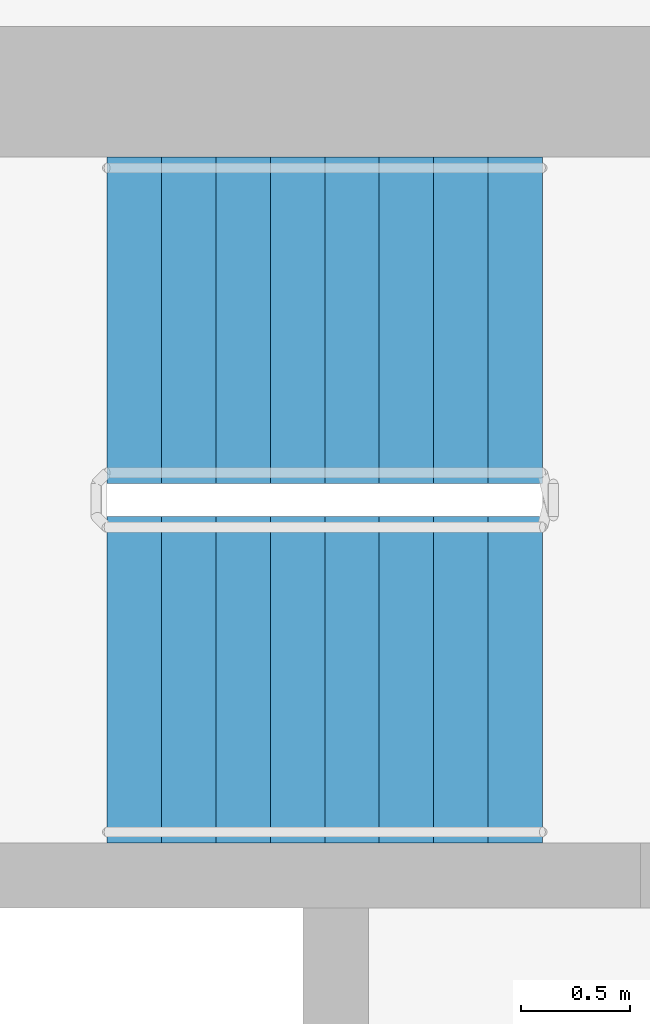
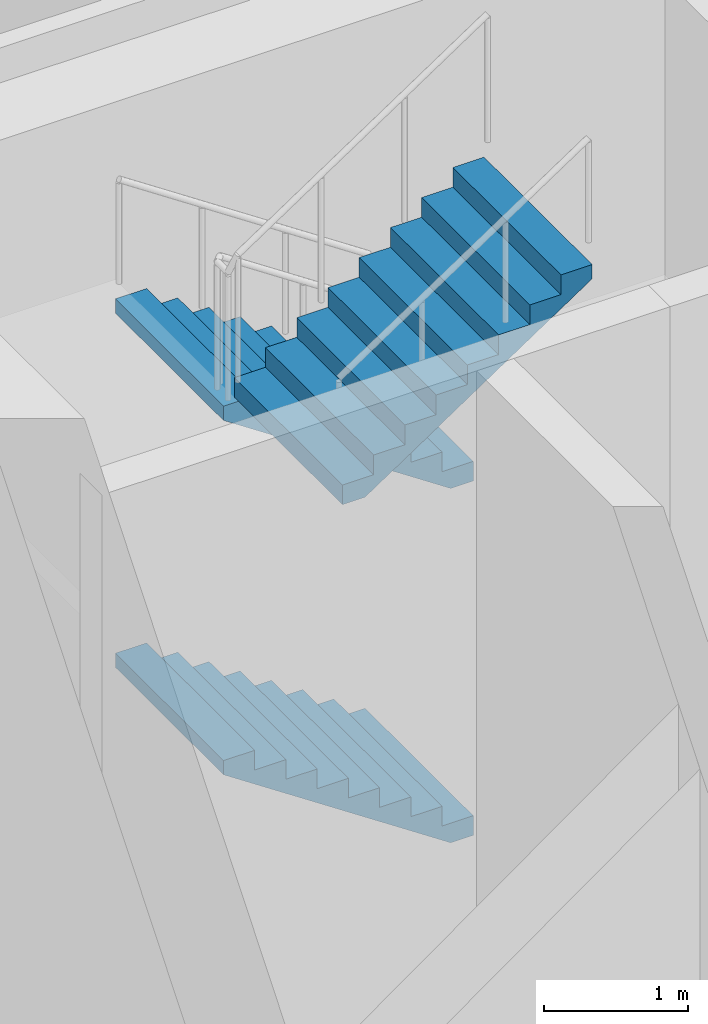
# One storey, part 8 of 10: 3 stair flights, 1 element without a shape of its own.
"""IFC4 building model written with IfcOpenShell, lengths in metres."""

from ifc_helpers import new_model, si_unit, direction, frame, origin, place, context, subcontext, project, spatial, polyline, outline, extrude, material, type_object, element, aggregate, save


model = new_model("IFC4")

# Units and contexts
model_context = context("Model", 3, precision=1e-05, world=origin(), true_north=direction((0.0, 1.0)))
body_context = subcontext(model_context, "Body", "Model", "MODEL_VIEW")
ifc_project = project(units=[si_unit("LENGTHUNIT", "METRE"), si_unit("AREAUNIT", "SQUARE_METRE"), si_unit("VOLUMEUNIT", "CUBIC_METRE"), si_unit("PLANEANGLEUNIT", "RADIAN"), si_unit("MASSUNIT", "GRAM", prefix="KILO")], contexts=[model_context])

# Site, building, storey
site_placement = place(None, origin())
site = spatial("IfcSite", under=ifc_project, at=site_placement, CompositionType="ELEMENT")
building_placement = place(site_placement, origin())
building = spatial("IfcBuilding", under=site, at=building_placement, Name="Tracery Tower", CompositionType="ELEMENT")
storey_placement = place(building_placement, frame((0.0, 0.0, 352.199951171875)))
storey = spatial("IfcBuildingStorey", under=building, at=storey_placement, Name="L90", CompositionType="ELEMENT", Elevation=352.199951171875)

# Stair, stair flights
ifc_material_1 = material(Name="Concrete C32/40", Category="concrete")
stair_type = type_object("IfcStairType", Name="Core stair 36 risers", PredefinedType="HALF_TURN_STAIR", material=ifc_material_1)
stair_placement = place(storey_placement, origin())
stair = element("IfcStair", 1, at=stair_placement, inside=storey, type_object=stair_type, Name="L90 stair ST3", PredefinedType="HALF_TURN_STAIR")
ifc_material_2 = material(Name="Concrete C32/40", Category="concrete")
stair_flight_type = type_object("IfcStairFlightType", Name="Core stair flight 9 risers", PredefinedType="STRAIGHT", material=ifc_material_2)
stair_flight_1_placement = place(storey_placement, frame((-4.800048828125, 5.64990234375, 0.0), z_axis=(0.0, 0.0, 1.0), x_axis=(-1.0, 0.0, 0.0)))
stair_flight_1 = element("IfcStairFlight", 2, at=stair_flight_1_placement, type_object=stair_flight_type, Name="ST3 flight 1", NumberOfRisers=9, NumberOfTreads=8, PredefinedType="STRAIGHT", RiserHeight=0.166666667, TreadLength=0.25, context=body_context, shape_type="SweptSolid", body=[
    extrude(outline(polyline([(0.0, 0.0), (0.0, 0.002685546875), (0.0, 0.00537109375), (0.0, 0.00830078125), (0.0, 0.010986328125), (0.0, 0.013671875), (0.0, 0.016357421875), (0.0, 0.01904296875), (0.0, 0.02197265625), (0.0, 0.024658203125), (0.0, 0.02734375), (0.0, 0.030029296875), (0.0, 0.03271484375), (0.0, 0.035400390625), (0.0, 0.038330078125), (0.0, 0.041015625), (0.0, 0.043701171875), (0.0, 0.04638671875), (0.0, 0.049072265625), (0.0, 0.052001953125), (0.0, 0.0546875), (0.0, 0.057373046875), (0.0, 0.06005859375), (0.0, 0.062744140625), (0.0, 0.065673828125), (0.0, 0.068359375), (0.0, 0.071044921875), (0.0, 0.07373046875), (0.0, 0.076416015625), (0.0, 0.079345703125), (0.0, 0.08203125), (0.0, 0.084716796875), (0.0, 0.08740234375), (0.0, 0.090087890625), (0.0, 0.093017578125), (0.0, 0.095703125), (0.0, 0.098388671875), (0.0, 0.10107421875), (0.0, 0.103759765625), (0.0, 0.1064453125), (0.0, 0.109375), (0.0, 0.112060546875), (0.0, 0.11474609375), (0.0, 0.117431640625), (0.0, 0.1201171875), (0.0, 0.123046875), (0.0, 0.125732421875), (0.0, 0.12841796875), (0.0, 0.131103515625), (0.0, 0.1337890625), (0.0, 0.13671875), (0.0, 0.139404296875), (0.0, 0.14208984375), (0.0, 0.144775390625), (0.0, 0.1474609375), (0.0, 0.150390625), (0.0, 0.153076171875), (0.0, 0.15576171875), (0.0, 0.158447265625), (0.0, 0.1611328125), (0.0, 0.163818359375), (0.0, 0.166748046875), (0.25, 0.166748046875), (0.25, 0.333251953125), (0.5, 0.333251953125), (0.5, 0.5), (0.75, 0.5), (0.75, 0.666748046875), (1.0, 0.666748046875), (1.0, 0.833251953125), (1.25, 0.833251953125), (1.25, 1.0), (1.5, 1.0), (1.5, 1.166748046875), (1.75, 1.166748046875), (1.75, 1.333251953125), (2.0, 1.333251953125), (2.0, 1.331298828125), (2.0, 1.329345703125), (2.0, 1.327392578125), (2.0, 1.325439453125), (2.0, 1.323486328125), (2.0, 1.321533203125), (2.0, 1.319580078125), (2.0, 1.317626953125), (2.0, 1.315673828125), (2.0, 1.313720703125), (2.0, 1.3115234375), (2.0, 1.3095703125), (2.0, 1.3076171875), (2.0, 1.3056640625), (2.0, 1.3037109375), (2.0, 1.3017578125), (2.0, 1.2998046875), (2.0, 1.2978515625), (2.0, 1.2958984375), (2.0, 1.2939453125), (2.0, 1.2919921875), (2.0, 1.2900390625), (2.0, 1.2880859375), (2.0, 1.285888671875), (2.0, 1.283935546875), (2.0, 1.281982421875), (2.0, 1.280029296875), (2.0, 1.278076171875), (2.0, 1.276123046875), (2.0, 1.274169921875), (2.0, 1.272216796875), (2.0, 1.270263671875), (2.0, 1.268310546875), (2.0, 1.266357421875), (2.0, 1.264404296875), (2.0, 1.262451171875), (2.0, 1.26025390625), (2.0, 1.25830078125), (2.0, 1.25634765625), (2.0, 1.25439453125), (2.0, 1.25244140625), (2.0, 1.25048828125), (2.0, 1.24853515625), (2.0, 1.24658203125), (2.0, 1.24462890625), (2.0, 1.24267578125), (2.0, 1.24072265625), (2.0, 1.23876953125), (2.0, 1.23681640625), (2.0, 1.234619140625), (2.0, 1.232666015625), (2.0, 1.230712890625), (2.0, 1.228759765625), (2.0, 1.226806640625), (2.0, 1.224853515625), (2.0, 1.222900390625), (2.0, 1.220947265625), (2.0, 1.218994140625), (2.0, 1.217041015625), (2.0, 1.215087890625), (2.0, 1.213134765625), (0.180419921875, 0.0), (0.0, 0.0)])), frame((0.0, 0.75, 0.0), z_axis=(0.0, -1.0, 0.0), x_axis=(1.0, 0.0, 0.0)), (0.0, 0.0, 1.0), 1.5),
])
stair_flight_2_placement = place(storey_placement, frame((-4.800048828125, 5.64990234375, 3.0), z_axis=(0.0, 0.0, 1.0), x_axis=(-1.0, 0.0, 0.0)))
stair_flight_2 = element("IfcStairFlight", 3, at=stair_flight_2_placement, type_object=stair_flight_type, Name="ST3 flight 3", NumberOfRisers=9, NumberOfTreads=8, PredefinedType="STRAIGHT", RiserHeight=0.166666667, TreadLength=0.25, context=body_context, shape_type="SweptSolid", body=[
    extrude(outline(polyline([(0.0, 0.0), (0.0, 0.002685546875), (0.0, 0.00537109375), (0.0, 0.00830078125), (0.0, 0.010986328125), (0.0, 0.013671875), (0.0, 0.016357421875), (0.0, 0.01904296875), (0.0, 0.02197265625), (0.0, 0.024658203125), (0.0, 0.02734375), (0.0, 0.030029296875), (0.0, 0.03271484375), (0.0, 0.035400390625), (0.0, 0.038330078125), (0.0, 0.041015625), (0.0, 0.043701171875), (0.0, 0.04638671875), (0.0, 0.049072265625), (0.0, 0.052001953125), (0.0, 0.0546875), (0.0, 0.057373046875), (0.0, 0.06005859375), (0.0, 0.062744140625), (0.0, 0.065673828125), (0.0, 0.068359375), (0.0, 0.071044921875), (0.0, 0.07373046875), (0.0, 0.076416015625), (0.0, 0.079345703125), (0.0, 0.08203125), (0.0, 0.084716796875), (0.0, 0.08740234375), (0.0, 0.090087890625), (0.0, 0.093017578125), (0.0, 0.095703125), (0.0, 0.098388671875), (0.0, 0.10107421875), (0.0, 0.103759765625), (0.0, 0.1064453125), (0.0, 0.109375), (0.0, 0.112060546875), (0.0, 0.11474609375), (0.0, 0.117431640625), (0.0, 0.1201171875), (0.0, 0.123046875), (0.0, 0.125732421875), (0.0, 0.12841796875), (0.0, 0.131103515625), (0.0, 0.1337890625), (0.0, 0.13671875), (0.0, 0.139404296875), (0.0, 0.14208984375), (0.0, 0.144775390625), (0.0, 0.1474609375), (0.0, 0.150390625), (0.0, 0.153076171875), (0.0, 0.15576171875), (0.0, 0.158447265625), (0.0, 0.1611328125), (0.0, 0.163818359375), (0.0, 0.166748046875), (0.25, 0.166748046875), (0.25, 0.333251953125), (0.5, 0.333251953125), (0.5, 0.5), (0.75, 0.5), (0.75, 0.666748046875), (1.0, 0.666748046875), (1.0, 0.833251953125), (1.25, 0.833251953125), (1.25, 1.0), (1.5, 1.0), (1.5, 1.166748046875), (1.75, 1.166748046875), (1.75, 1.333251953125), (2.0, 1.333251953125), (2.0, 1.331298828125), (2.0, 1.329345703125), (2.0, 1.327392578125), (2.0, 1.325439453125), (2.0, 1.323486328125), (2.0, 1.321533203125), (2.0, 1.319580078125), (2.0, 1.317626953125), (2.0, 1.315673828125), (2.0, 1.313720703125), (2.0, 1.3115234375), (2.0, 1.3095703125), (2.0, 1.3076171875), (2.0, 1.3056640625), (2.0, 1.3037109375), (2.0, 1.3017578125), (2.0, 1.2998046875), (2.0, 1.2978515625), (2.0, 1.2958984375), (2.0, 1.2939453125), (2.0, 1.2919921875), (2.0, 1.2900390625), (2.0, 1.2880859375), (2.0, 1.285888671875), (2.0, 1.283935546875), (2.0, 1.281982421875), (2.0, 1.280029296875), (2.0, 1.278076171875), (2.0, 1.276123046875), (2.0, 1.274169921875), (2.0, 1.272216796875), (2.0, 1.270263671875), (2.0, 1.268310546875), (2.0, 1.266357421875), (2.0, 1.264404296875), (2.0, 1.262451171875), (2.0, 1.26025390625), (2.0, 1.25830078125), (2.0, 1.25634765625), (2.0, 1.25439453125), (2.0, 1.25244140625), (2.0, 1.25048828125), (2.0, 1.24853515625), (2.0, 1.24658203125), (2.0, 1.24462890625), (2.0, 1.24267578125), (2.0, 1.24072265625), (2.0, 1.23876953125), (2.0, 1.23681640625), (2.0, 1.234619140625), (2.0, 1.232666015625), (2.0, 1.230712890625), (2.0, 1.228759765625), (2.0, 1.226806640625), (2.0, 1.224853515625), (2.0, 1.222900390625), (2.0, 1.220947265625), (2.0, 1.218994140625), (2.0, 1.217041015625), (2.0, 1.215087890625), (2.0, 1.213134765625), (0.180419921875, 0.0), (0.0, 0.0)])), frame((0.0, 0.75, 0.0), z_axis=(0.0, -1.0, 0.0), x_axis=(1.0, 0.0, 0.0)), (0.0, 0.0, 1.0), 1.5),
])
stair_flight_3_placement = place(storey_placement, frame((-6.800048828125, 4.0, 4.5), z_axis=(0.0, 0.0, 1.0), x_axis=(1.0, 0.0, 0.0)))
stair_flight_3 = element("IfcStairFlight", 4, at=stair_flight_3_placement, type_object=stair_flight_type, Name="ST3 flight 4", NumberOfRisers=9, NumberOfTreads=8, PredefinedType="STRAIGHT", RiserHeight=0.166666667, TreadLength=0.25, context=body_context, shape_type="SweptSolid", body=[
    extrude(outline(polyline([(0.0, 0.0), (0.0, 0.002685546875), (0.0, 0.00537109375), (0.0, 0.00830078125), (0.0, 0.010986328125), (0.0, 0.013671875), (0.0, 0.016357421875), (0.0, 0.01904296875), (0.0, 0.02197265625), (0.0, 0.024658203125), (0.0, 0.02734375), (0.0, 0.030029296875), (0.0, 0.03271484375), (0.0, 0.035400390625), (0.0, 0.038330078125), (0.0, 0.041015625), (0.0, 0.043701171875), (0.0, 0.04638671875), (0.0, 0.049072265625), (0.0, 0.052001953125), (0.0, 0.0546875), (0.0, 0.057373046875), (0.0, 0.06005859375), (0.0, 0.062744140625), (0.0, 0.065673828125), (0.0, 0.068359375), (0.0, 0.071044921875), (0.0, 0.07373046875), (0.0, 0.076416015625), (0.0, 0.079345703125), (0.0, 0.08203125), (0.0, 0.084716796875), (0.0, 0.08740234375), (0.0, 0.090087890625), (0.0, 0.093017578125), (0.0, 0.095703125), (0.0, 0.098388671875), (0.0, 0.10107421875), (0.0, 0.103759765625), (0.0, 0.1064453125), (0.0, 0.109375), (0.0, 0.112060546875), (0.0, 0.11474609375), (0.0, 0.117431640625), (0.0, 0.1201171875), (0.0, 0.123046875), (0.0, 0.125732421875), (0.0, 0.12841796875), (0.0, 0.131103515625), (0.0, 0.1337890625), (0.0, 0.13671875), (0.0, 0.139404296875), (0.0, 0.14208984375), (0.0, 0.144775390625), (0.0, 0.1474609375), (0.0, 0.150390625), (0.0, 0.153076171875), (0.0, 0.15576171875), (0.0, 0.158447265625), (0.0, 0.1611328125), (0.0, 0.163818359375), (0.0, 0.166748046875), (0.25, 0.166748046875), (0.25, 0.333251953125), (0.5, 0.333251953125), (0.5, 0.5), (0.75, 0.5), (0.75, 0.666748046875), (1.0, 0.666748046875), (1.0, 0.833251953125), (1.25, 0.833251953125), (1.25, 1.0), (1.5, 1.0), (1.5, 1.166748046875), (1.75, 1.166748046875), (1.75, 1.333251953125), (2.0, 1.333251953125), (2.0, 1.331298828125), (2.0, 1.329345703125), (2.0, 1.327392578125), (2.0, 1.325439453125), (2.0, 1.323486328125), (2.0, 1.321533203125), (2.0, 1.319580078125), (2.0, 1.317626953125), (2.0, 1.315673828125), (2.0, 1.313720703125), (2.0, 1.3115234375), (2.0, 1.3095703125), (2.0, 1.3076171875), (2.0, 1.3056640625), (2.0, 1.3037109375), (2.0, 1.3017578125), (2.0, 1.2998046875), (2.0, 1.2978515625), (2.0, 1.2958984375), (2.0, 1.2939453125), (2.0, 1.2919921875), (2.0, 1.2900390625), (2.0, 1.2880859375), (2.0, 1.285888671875), (2.0, 1.283935546875), (2.0, 1.281982421875), (2.0, 1.280029296875), (2.0, 1.278076171875), (2.0, 1.276123046875), (2.0, 1.274169921875), (2.0, 1.272216796875), (2.0, 1.270263671875), (2.0, 1.268310546875), (2.0, 1.266357421875), (2.0, 1.264404296875), (2.0, 1.262451171875), (2.0, 1.26025390625), (2.0, 1.25830078125), (2.0, 1.25634765625), (2.0, 1.25439453125), (2.0, 1.25244140625), (2.0, 1.25048828125), (2.0, 1.24853515625), (2.0, 1.24658203125), (2.0, 1.24462890625), (2.0, 1.24267578125), (2.0, 1.24072265625), (2.0, 1.23876953125), (2.0, 1.23681640625), (2.0, 1.234619140625), (2.0, 1.232666015625), (2.0, 1.230712890625), (2.0, 1.228759765625), (2.0, 1.226806640625), (2.0, 1.224853515625), (2.0, 1.222900390625), (2.0, 1.220947265625), (2.0, 1.218994140625), (2.0, 1.217041015625), (2.0, 1.215087890625), (2.0, 1.213134765625), (0.180419921875, 0.0), (0.0, 0.0)])), frame((0.0, 0.75, 0.0), z_axis=(0.0, -1.0, 0.0), x_axis=(1.0, 0.0, 0.0)), (0.0, 0.0, 1.0), 1.5),
])
aggregate(stair, [stair_flight_1, stair_flight_2, stair_flight_3])

save(model, "model.ifc")
